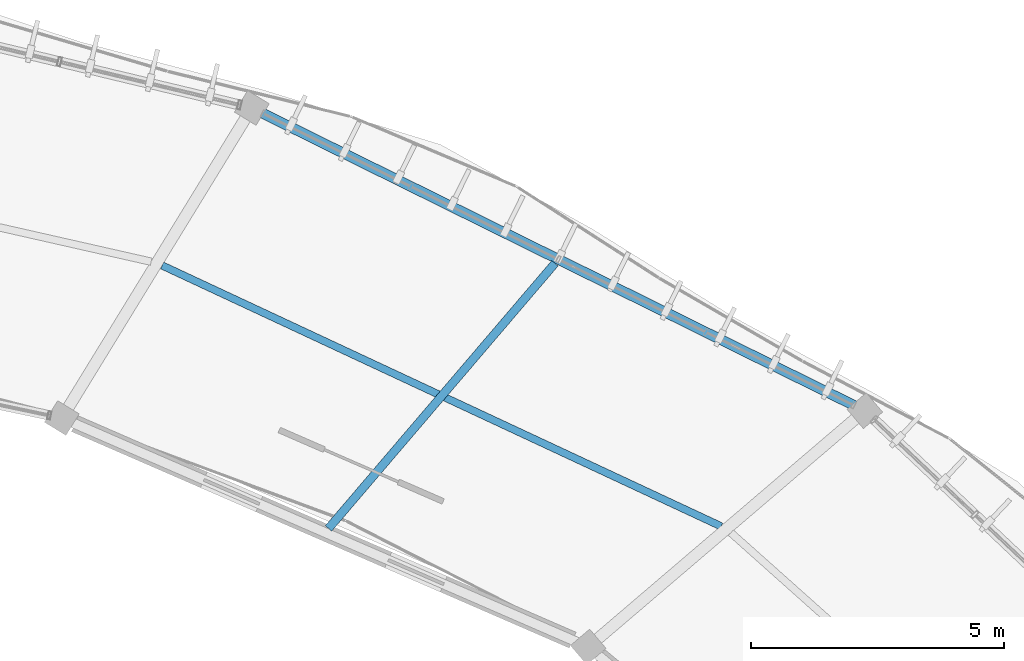
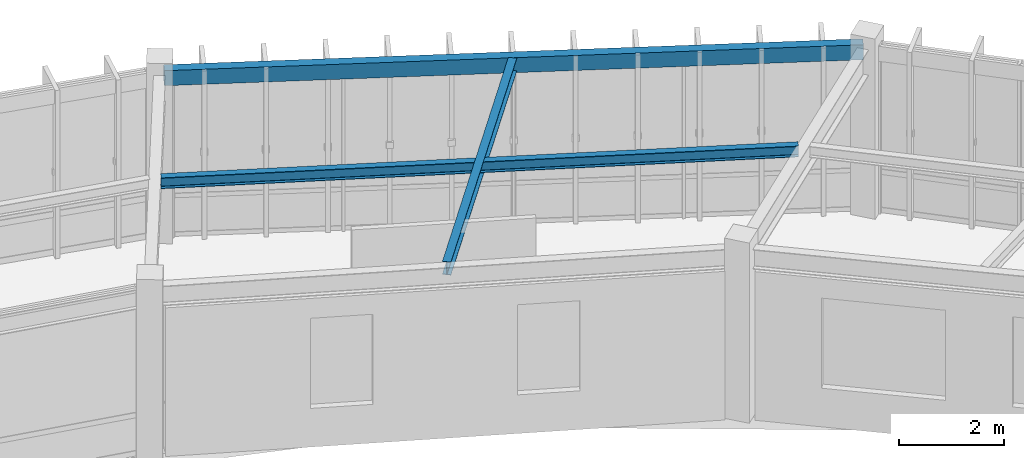
# One storey, part 61 of 78: 3 beams.
"""IFC4 building model written with IfcOpenShell, lengths in metres."""

from ifc_helpers import new_model, si_unit, direction, frame, origin, origin_2d, place, context, subcontext, project, spatial, hollow_rectangle, i_section, extrude, material, material_profile, profile_set, type_object, element, save


model = new_model("IFC4")

# Units and contexts
model_context = context("Model", 3, precision=1e-05, world=origin(), true_north=direction((0.0, 1.0)))
body_context = subcontext(model_context, "Body", "Model", "MODEL_VIEW")
ifc_project = project(units=[si_unit("LENGTHUNIT", "METRE"), si_unit("AREAUNIT", "SQUARE_METRE"), si_unit("VOLUMEUNIT", "CUBIC_METRE"), si_unit("PLANEANGLEUNIT", "RADIAN"), si_unit("MASSUNIT", "GRAM", prefix="KILO"), si_unit("THERMODYNAMICTEMPERATUREUNIT", "KELVIN"), si_unit("POWERUNIT", "WATT")], contexts=[model_context])

# Site, building, storey
site_placement = place(None, origin())
site = spatial("IfcSite", under=ifc_project, at=site_placement, CompositionType="ELEMENT")
building_placement = place(site_placement, origin())
building = spatial("IfcBuilding", under=site, at=building_placement, Name="Darbajah Civic Hall", CompositionType="ELEMENT")
storey_placement = place(building_placement, frame((0.0, 0.0, 26.39990234375)))
storey = spatial("IfcBuildingStorey", under=building, at=storey_placement, Name="L06", CompositionType="ELEMENT", Elevation=26.39990234375)

# Beams
ifc_material = material(Name="Steel S355JR", Category="steel")
ifc_material_profile_1 = material_profile(ifc_material, hollow_rectangle(XDim=0.199951171875, YDim=0.35009765625, WallThickness=0.012451171875, at=origin_2d()), Name="RHS 350x200x12.5")
ifc_profile_set_1 = profile_set([ifc_material_profile_1], Name="Steel S355JR")
beam_type_1 = type_object("IfcBeamType", Name="RHS 350x200x12.5", PredefinedType="SPANDREL", material=ifc_profile_set_1)
beam_1_placement = place(storey_placement, frame((127.80908203125, 108.994140625, 3.7451171875), z_axis=(-0.896560149568, 0.442922000139, 0.0), x_axis=(-0.442922000139, -0.896560149568, 0.0)))
element("IfcBeam", 1, at=beam_1_placement, inside=storey, type_object=beam_type_1, Name="L06 beam SP-RHS350", PredefinedType="SPANDREL", context=body_context, shape_type="SweptSolid", body=[
    extrude(hollow_rectangle(XDim=0.199951171875, YDim=0.35009765625, WallThickness=0.012451171875, at=origin_2d()), origin(), (0.0, 0.0, 1.0), 13.373291015625),
])
ifc_material_profile_2 = material_profile(ifc_material, i_section(OverallWidth=0.146484375, OverallDepth=0.256103515625, WebThickness=0.00634765625, FlangeThickness=0.010986328125, FilletRadius=0.007568359375, at=origin_2d()), Name="UB 254x146x37")
ifc_profile_set_2 = profile_set([ifc_material_profile_2], Name="Steel S355JR")
beam_type_2 = type_object("IfcBeamType", Name="UB 254x146x37", PredefinedType="JOIST", material=ifc_profile_set_2)
beam_2_placement = place(storey_placement, frame((125.0380859375, 106.669921875, 3.7919921875), z_axis=(-0.906187225773, 0.422876709982, 0.0), x_axis=(-0.422876709982, -0.906187225773, 0.0)))
element("IfcBeam", 2, at=beam_2_placement, inside=storey, type_object=beam_type_2, Name="L06 beam SJ-254", PredefinedType="JOIST", context=body_context, shape_type="SweptSolid", body=[
    extrude(i_section(OverallWidth=0.146484375, OverallDepth=0.256103515625, WebThickness=0.00634765625, FlangeThickness=0.010986328125, FilletRadius=0.007568359375, at=origin_2d()), origin(), (0.0, 0.0, 1.0), 12.21240234375),
])
ifc_material_profile_3 = material_profile(ifc_material, i_section(OverallWidth=0.165771484375, OverallDepth=0.306640625, WebThickness=0.006591796875, FlangeThickness=0.01171875, FilletRadius=0.0087890625, at=origin_2d()), Name="UB 305x165x46")
ifc_profile_set_3 = profile_set([ifc_material_profile_3], Name="Steel S355JR")
beam_type_3 = type_object("IfcBeamType", Name="UB 305x165x46", PredefinedType="JOIST", material=ifc_profile_set_3)
beam_3_placement = place(storey_placement, frame((117.264404296875, 106.62890625, 3.766845703125), z_axis=(0.649456456581, 0.760398784195, 0.0), x_axis=(-0.760398784195, 0.649456456581, 0.0)))
element("IfcBeam", 3, at=beam_3_placement, inside=storey, type_object=beam_type_3, Name="L06 beam SJ-305", PredefinedType="JOIST", context=body_context, shape_type="SweptSolid", body=[
    extrude(i_section(OverallWidth=0.165771484375, OverallDepth=0.306640625, WebThickness=0.006591796875, FlangeThickness=0.01171875, FilletRadius=0.0087890625, at=origin_2d()), origin(), (0.0, 0.0, 1.0), 6.9033203125),
])

save(model, "model.ifc")
